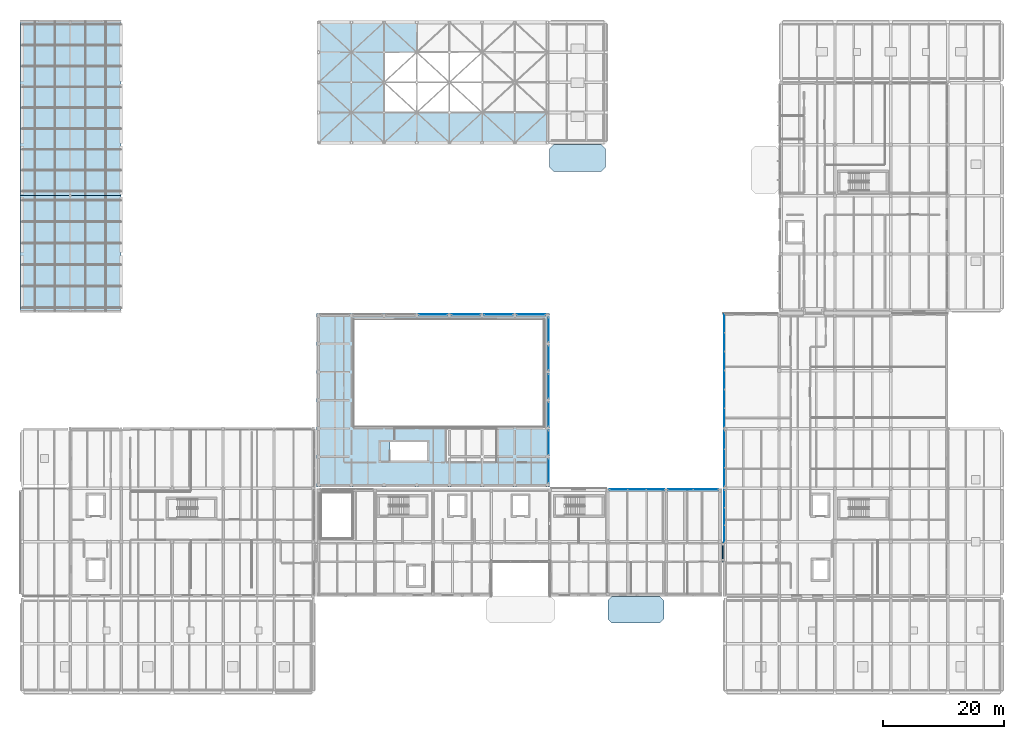
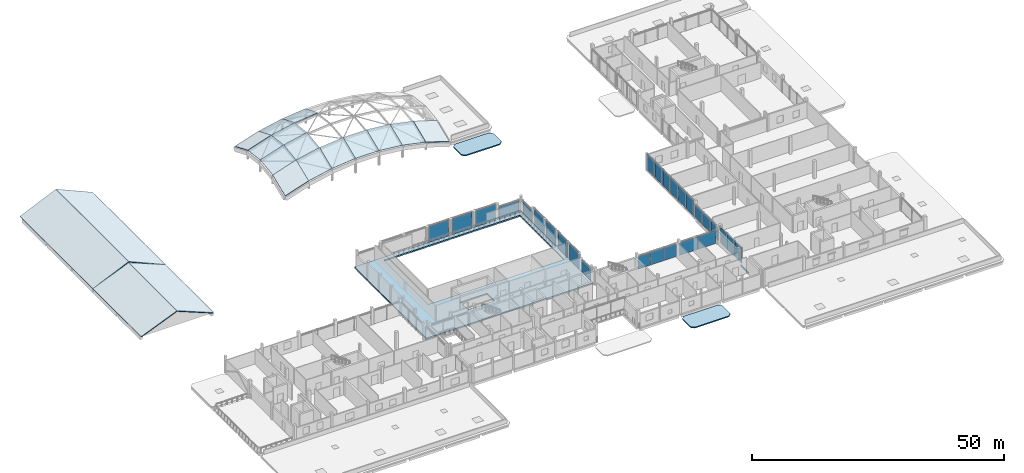
# One storey, part 33 of 66: 27 plates, 22 slabs, 18 elements without a shape of their own.
"""IFC4 building model written with IfcOpenShell, lengths in metres."""

import ifcopenshell
import ifcopenshell.guid

model = None  # the IFC model being written
_history = None  # IfcOwnerHistory: only IFC2X3 demands one
_inside = {}  # id of a spatial element -> (the spatial element, [elements in it])
_under = {}  # id of a project, library or spatial element -> (it, [spatial elements below it])
_declared = {}  # id of a project -> (the project, [libraries it declares])
_typed = {}  # id of a type object -> (the type object, [elements of that type])
_made_of = {}  # id of a material, layer set ... -> (it, [elements and type objects made of it])


def new_model(schema):
    """Start an empty IFC model of exactly this schema.

    Asked for "IFC4X3", IfcOpenShell would pick the latest addendum, in which some entities
    have other attributes; the version numbers below select the first issue.
    IFC2X3 requires an IfcOwnerHistory on every rooted entity: one is made here for all.
    """
    global model, _history
    if schema == "IFC4X3":
        model = ifcopenshell.file(schema_version=(4, 3, 0, 0))
    else:
        model = ifcopenshell.file(schema=schema)
    _inside.clear()
    _under.clear()
    _declared.clear()
    _typed.clear()
    _made_of.clear()
    _history = None
    if model.schema == "IFC2X3":
        org = make("IfcOrganization", Name="unknown")
        user = make(
            "IfcPersonAndOrganization",
            ThePerson=make("IfcPerson", FamilyName="unknown"),
            TheOrganization=org,
        )
        app = make(
            "IfcApplication",
            ApplicationDeveloper=org,
            Version="unknown",
            ApplicationFullName="unknown",
            ApplicationIdentifier="unknown",
        )
        _history = make(
            "IfcOwnerHistory",
            OwningUser=user,
            OwningApplication=app,
            ChangeAction="ADDED",
            CreationDate=0,
        )
    return model


def make(cls, **values):
    """One entity of the class cls with the attributes given. An attribute that is None is left unset."""
    return model.create_entity(
        cls, **{name: value for name, value in values.items() if value is not None}
    )


def rooted(cls, **values):
    """An entity with a GlobalId (a new one), such as an element, a storey or a relation."""
    return make(cls, GlobalId=ifcopenshell.guid.new(), OwnerHistory=_history, **values)


def si_unit(unit_type, name, prefix=None):
    """IfcSIUnit, for example si_unit("LENGTHUNIT", "METRE", prefix="MILLI")."""
    return make("IfcSIUnit", UnitType=unit_type, Prefix=prefix, Name=name)


def assignment(units):
    """IfcUnitAssignment: the units of a project."""
    return None if units is None else make("IfcUnitAssignment", Units=units)


def point(xyz):
    """IfcCartesianPoint."""
    return None if xyz is None else make("IfcCartesianPoint", Coordinates=xyz)


def direction(xyz):
    """IfcDirection."""
    return None if xyz is None else make("IfcDirection", DirectionRatios=xyz)


def frame(location, z_axis=None, x_axis=None):
    """IfcAxis2Placement3D, a coordinate frame: its origin and axes. An axis left out is left unset."""
    return make(
        "IfcAxis2Placement3D",
        Location=point(location),
        Axis=direction(z_axis),
        RefDirection=direction(x_axis),
    )


def frame_2d(location, x_axis=None):
    """IfcAxis2Placement2D, a coordinate frame in the plane: its origin and x axis."""
    return make(
        "IfcAxis2Placement2D", Location=point(location), RefDirection=direction(x_axis)
    )


def origin():
    """The frame at (0, 0, 0) with its axes left unset."""
    return frame((0.0, 0.0, 0.0))


def origin_2d():
    """The frame at (0, 0) in the plane with its x axis left unset."""
    return frame_2d((0.0, 0.0))


def place(relative_to, where):
    """IfcLocalPlacement: puts the frame where relative to a parent placement (None: the world)."""
    return make(
        "IfcLocalPlacement", PlacementRelTo=relative_to, RelativePlacement=where
    )


def context(
    kind, dimensions, precision=None, world=None, true_north=None, identifier=None
):
    """IfcGeometricRepresentationContext, for example the 3D "Model" context."""
    return make(
        "IfcGeometricRepresentationContext",
        ContextIdentifier=identifier,
        ContextType=kind,
        CoordinateSpaceDimension=dimensions,
        Precision=precision,
        WorldCoordinateSystem=world,
        TrueNorth=true_north,
    )


def subcontext(parent, identifier, kind, view, scale=None):
    """IfcGeometricRepresentationSubContext, for example "Body" below "Model"."""
    return make(
        "IfcGeometricRepresentationSubContext",
        ContextIdentifier=identifier,
        ContextType=kind,
        ParentContext=parent,
        TargetScale=scale,
        TargetView=view,
    )


def project(units=None, contexts=None):
    """IfcProject with its units and contexts."""
    return rooted(
        "IfcProject",
        Name="project",
        RepresentationContexts=contexts,
        UnitsInContext=assignment(units),
    )


def spatial(cls, under=None, at=None, **own):
    """A site, building, storey or space (cls), placed at a placement, below another one or the project."""
    s = rooted(cls, ObjectPlacement=at, **own)
    if under is not None:
        _under.setdefault(under.id(), (under, []))[1].append(s)
    return s


def polyline(points):
    """IfcPolyline through the points."""
    return make("IfcPolyline", Points=[point(p) for p in points])


def profile(cls, at=None, kind="AREA", **sizes):
    """A parametric profile (cls). Its sizes go by their IFC names, for example OverallWidth=200.0."""
    return make(cls, ProfileType=kind, Position=at, **sizes)


def rectangle(**sizes):
    """IfcRectangleProfileDef."""
    return profile("IfcRectangleProfileDef", **sizes)


def outline(outer, holes=None, kind="AREA"):
    """IfcArbitraryClosedProfileDef: a profile drawn as a closed curve; with holes, ...WithVoids."""
    if holes is None:
        return make("IfcArbitraryClosedProfileDef", ProfileType=kind, OuterCurve=outer)
    return make(
        "IfcArbitraryProfileDefWithVoids",
        ProfileType=kind,
        OuterCurve=outer,
        InnerCurves=holes,
    )


def extrude(swept, where, along, depth):
    """IfcExtrudedAreaSolid: the profile swept, set in the frame where, extruded along a direction by depth."""
    return make(
        "IfcExtrudedAreaSolid",
        SweptArea=swept,
        Position=where,
        ExtrudedDirection=direction(along),
        Depth=depth,
    )


def shape(context_of_items, identifier, shape_type, items):
    """IfcShapeRepresentation: the items that make up one representation, for example the "Body"."""
    return make(
        "IfcShapeRepresentation",
        ContextOfItems=context_of_items,
        RepresentationIdentifier=identifier,
        RepresentationType=shape_type,
        Items=items,
    )


def material(Name=None, Category=None):
    """IfcMaterial."""
    return make("IfcMaterial", Name=Name, Category=Category)


def layer(
    of_material, thickness, ventilated=None, Name=None, Category=None, Priority=None
):
    """IfcMaterialLayer: one layer of a wall or slab, of a material (None: an air gap)."""
    return make(
        "IfcMaterialLayer",
        Material=of_material,
        LayerThickness=thickness,
        IsVentilated=ventilated,
        Name=Name,
        Category=Category,
        Priority=Priority,
    )


def layer_set(layers, Name=None):
    """IfcMaterialLayerSet."""
    return make("IfcMaterialLayerSet", MaterialLayers=layers, LayerSetName=Name)


def made_of(thing, what):
    """Note that an element or type object is made of a material, layer set ...; save() writes the relation."""
    if what is not None:
        _made_of.setdefault(what.id(), (what, []))[1].append(thing)
    return thing


def type_object(cls, material=None, **own):
    """A type object (cls), such as IfcWallType, which elements share."""
    return made_of(rooted(cls, **own), material)


def element(
    cls,
    number,
    at=None,
    inside=None,
    cuts=None,
    type_object=None,
    material=None,
    context=None,
    identifier="Body",
    shape_type=None,
    held_by="IfcProductDefinitionShape",
    body=None,
    shapes=None,
    **own,
):
    """One element of the class cls, such as IfcWall. Its Tag is "e" and its number.

    at: its placement. inside: the storey or other place that contains it. cuts: it is an
    opening in that element (IfcRelVoidsElement). A single representation is given by context,
    identifier, shape_type and body (its items); several are given by shapes. held_by: the class
    of the entity that holds the representations. save() writes the other relations.
    """
    e = rooted(cls, Tag="e%d" % number, ObjectPlacement=at, **own)
    if body is not None:
        shapes = [shape(context, identifier, shape_type, body)]
    if shapes is not None:
        e.Representation = make(held_by, Representations=shapes)
    if inside is not None:
        _inside.setdefault(inside.id(), (inside, []))[1].append(e)
    if cuts is not None:
        rooted(
            "IfcRelVoidsElement", RelatingBuildingElement=cuts, RelatedOpeningElement=e
        )
    if type_object is not None:
        _typed.setdefault(type_object.id(), (type_object, []))[1].append(e)
    return made_of(e, material)


def aggregate(whole, parts):
    """IfcRelAggregates: a whole, such as a stair, and the parts it consists of."""
    return rooted("IfcRelAggregates", RelatingObject=whole, RelatedObjects=parts)


def save(model, path):
    """Write the relations noted so far, then the file.

    IfcRelAggregates (storeys below a building ...), IfcRelContainedInSpatialStructure (elements
    in a storey), IfcRelDefinesByType, IfcRelAssociatesMaterial and IfcRelDeclares: one each for
    every whole, place, type object, material and project.
    """
    for whole, parts in _under.values():
        aggregate(whole, parts)
    for where, things in _inside.values():
        rooted(
            "IfcRelContainedInSpatialStructure",
            RelatedElements=things,
            RelatingStructure=where,
        )
    for kind, things in _typed.values():
        rooted("IfcRelDefinesByType", RelatedObjects=things, RelatingType=kind)
    for what, things in _made_of.values():
        rooted("IfcRelAssociatesMaterial", RelatedObjects=things, RelatingMaterial=what)
    for by, libraries in _declared.values():
        rooted("IfcRelDeclares", RelatingContext=by, RelatedDefinitions=libraries)
    model.write(path)


model = new_model("IFC4")

# Units and contexts
model_context = context("Model", 3, precision=1e-05, world=origin(), true_north=direction((0.0, 1.0)))
body_context = subcontext(model_context, "Body", "Model", "MODEL_VIEW")
ifc_project = project(units=[si_unit("LENGTHUNIT", "METRE"), si_unit("AREAUNIT", "SQUARE_METRE"), si_unit("VOLUMEUNIT", "CUBIC_METRE"), si_unit("PLANEANGLEUNIT", "RADIAN"), si_unit("MASSUNIT", "GRAM", prefix="KILO")], contexts=[model_context])

# Site, building, storey
site_placement = place(None, origin())
site = spatial("IfcSite", under=ifc_project, at=site_placement, CompositionType="ELEMENT")
building_placement = place(site_placement, origin())
building = spatial("IfcBuilding", under=site, at=building_placement, Name="Birchvale Park Specialist Clinic", CompositionType="ELEMENT")
storey_placement = place(building_placement, frame((0.0, 0.0, 5.39990234375)))
storey = spatial("IfcBuildingStorey", under=building, at=storey_placement, Name="L01", CompositionType="ELEMENT", Elevation=5.39990234375)

# Curtain wall, plates
ifc_material_1 = material(Name="Thermally broken anodised aluminium", Category="aluminium")
ifc_layer_1 = layer(ifc_material_1, 0.179931640625)
ifc_layer_set_1 = layer_set([ifc_layer_1], Name="Thermally broken anodised aluminium")
curtain_wall_type_1 = type_object("IfcCurtainWallType", Name="CW-U1", PredefinedType="USERDEFINED", material=ifc_layer_set_1)
curtain_wall_1_placement = place(storey_placement, origin())
curtain_wall_1 = element("IfcCurtainWall", 1, at=curtain_wall_1_placement, inside=storey, type_object=curtain_wall_type_1, Name="V4 L01 glazed curtain wall 88", ObjectType="UNITISED", PredefinedType="USERDEFINED")
ifc_material_2 = material(Name="Solar-control low-E double glazing", Category="glass")
ifc_layer_2 = layer(ifc_material_2, 0.028076171875)
ifc_layer_set_2 = layer_set([ifc_layer_2], Name="Solar-control low-E double glazing")
plate_type_1 = type_object("IfcPlateType", Name="CWP1", PredefinedType="CURTAIN_PANEL", material=ifc_layer_set_2)
plate_1_placement = place(storey_placement, frame((115.925048828125, 34.409912109375, 0.06005859375), z_axis=(0.0, 0.0, 1.0), x_axis=(-1.0, 0.0, 0.0)))
plate_1 = element("IfcPlate", 2, at=plate_1_placement, type_object=plate_type_1, Name="CW panel 1.1", PredefinedType="CURTAIN_PANEL", context=body_context, shape_type="SweptSolid", body=[
    extrude(rectangle(XDim=4.110107421875, YDim=0.028076171875, at=origin_2d()), origin(), (0.0, 0.0, 1.0), 3.094970703125),
])
plate_2_placement = place(storey_placement, frame((111.7548828125, 34.409912109375, 0.06005859375), z_axis=(0.0, 0.0, 1.0), x_axis=(-1.0, 0.0, 0.0)))
plate_2 = element("IfcPlate", 3, at=plate_2_placement, type_object=plate_type_1, Name="CW panel 2.1", PredefinedType="CURTAIN_PANEL", context=body_context, shape_type="SweptSolid", body=[
    extrude(rectangle(XDim=4.110107421875, YDim=0.028076171875, at=origin_2d()), origin(), (0.0, 0.0, 1.0), 3.094970703125),
])
aggregate(curtain_wall_1, [plate_1, plate_2])

curtain_wall_2_placement = place(storey_placement, origin())
curtain_wall_2 = element("IfcCurtainWall", 4, at=curtain_wall_2_placement, inside=storey, type_object=curtain_wall_type_1, Name="V4 L01 glazed curtain wall 89", ObjectType="UNITISED", PredefinedType="USERDEFINED")
plate_3_placement = place(storey_placement, frame((107.629150390625, 34.409912109375, 0.06005859375), z_axis=(0.0, 0.0, 1.0), x_axis=(-1.0, 0.0, 0.0)))
plate_3 = element("IfcPlate", 5, at=plate_3_placement, type_object=plate_type_1, Name="CW panel 1.1", PredefinedType="CURTAIN_PANEL", context=body_context, shape_type="SweptSolid", body=[
    extrude(rectangle(XDim=2.941650390625, YDim=0.028076171875, at=origin_2d()), origin(), (0.0, 0.0, 1.0), 3.06494140625),
])
plate_4_placement = place(storey_placement, frame((104.612548828125, 34.409912109375, 0.06005859375), z_axis=(0.0, 0.0, 1.0), x_axis=(-1.0, 0.0, 0.0)))
plate_4 = element("IfcPlate", 6, at=plate_4_placement, type_object=plate_type_1, Name="CW panel 2.1", PredefinedType="CURTAIN_PANEL", context=body_context, shape_type="SweptSolid", body=[
    extrude(rectangle(XDim=2.9716796875, YDim=0.028076171875, at=origin_2d()), origin(), (0.0, 0.0, 1.0), 3.06494140625),
])
plate_5_placement = place(storey_placement, frame((101.595947265625, 34.409912109375, 0.06005859375), z_axis=(0.0, 0.0, 1.0), x_axis=(-1.0, 0.0, 0.0)))
plate_5 = element("IfcPlate", 7, at=plate_5_placement, type_object=plate_type_1, Name="CW panel 3.1", PredefinedType="CURTAIN_PANEL", context=body_context, shape_type="SweptSolid", body=[
    extrude(rectangle(XDim=2.941650390625, YDim=0.028076171875, at=origin_2d()), origin(), (0.0, 0.0, 1.0), 3.06494140625),
])
aggregate(curtain_wall_2, [plate_3, plate_4, plate_5])

# Curtain wall, plate
ifc_layer_3 = layer(ifc_material_1, 0.195068359375)
ifc_layer_set_3 = layer_set([ifc_layer_3], Name="Thermally broken anodised aluminium")
curtain_wall_type_2 = type_object("IfcCurtainWallType", Name="CW-U2", PredefinedType="USERDEFINED", material=ifc_layer_set_3)
curtain_wall_3_placement = place(storey_placement, origin())
curtain_wall_3 = element("IfcCurtainWall", 8, at=curtain_wall_3_placement, inside=storey, type_object=curtain_wall_type_2, Name="V1 L01 glazed curtain wall 68", ObjectType="UNITISED", PredefinedType="USERDEFINED")
ifc_layer_4 = layer(ifc_material_2, 0.031982421875)
ifc_layer_set_4 = layer_set([ifc_layer_4], Name="Solar-control low-E double glazing")
plate_type_2 = type_object("IfcPlateType", Name="CWP2", PredefinedType="CURTAIN_PANEL", material=ifc_layer_set_4)
plate_6_placement = place(storey_placement, frame((90.034912109375, 37.47509765625, 0.065185546875), z_axis=(0.0, 0.0, 1.0), x_axis=(0.0, 1.0, 0.0)))
plate_6 = element("IfcPlate", 9, at=plate_6_placement, type_object=plate_type_2, Name="CW panel 1.1", PredefinedType="CURTAIN_PANEL", context=body_context, shape_type="SweptSolid", body=[
    extrude(rectangle(XDim=3.89990234375, YDim=0.031982421875, at=origin_2d()), origin(), (0.0, 0.0, 1.0), 2.93505859375),
])
aggregate(curtain_wall_3, [plate_6])

curtain_wall_4_placement = place(storey_placement, origin())
curtain_wall_4 = element("IfcCurtainWall", 10, at=curtain_wall_4_placement, inside=storey, type_object=curtain_wall_type_2, Name="V1 L01 glazed curtain wall 69", ObjectType="UNITISED", PredefinedType="USERDEFINED")
plate_7_placement = place(storey_placement, frame((90.034912109375, 42.125, 0.06494140625), z_axis=(0.0, 0.0, 1.0), x_axis=(0.0, 1.0, 0.0)))
plate_7 = element("IfcPlate", 11, at=plate_7_placement, type_object=plate_type_2, Name="CW panel 1.1", PredefinedType="CURTAIN_PANEL", context=body_context, shape_type="SweptSolid", body=[
    extrude(rectangle(XDim=3.89990234375, YDim=0.031982421875, at=origin_2d()), origin(), (0.0, 0.0, 1.0), 3.889892578125),
])
aggregate(curtain_wall_4, [plate_7])

curtain_wall_5_placement = place(storey_placement, origin())
curtain_wall_5 = element("IfcCurtainWall", 12, at=curtain_wall_5_placement, inside=storey, type_object=curtain_wall_type_2, Name="V1 L01 glazed curtain wall 70", ObjectType="UNITISED", PredefinedType="USERDEFINED")
plate_8_placement = place(storey_placement, frame((90.034912109375, 46.77490234375, 0.06494140625), z_axis=(0.0, 0.0, 1.0), x_axis=(0.0, 1.0, 0.0)))
plate_8 = element("IfcPlate", 13, at=plate_8_placement, type_object=plate_type_2, Name="CW panel 1.1", PredefinedType="CURTAIN_PANEL", context=body_context, shape_type="SweptSolid", body=[
    extrude(rectangle(XDim=3.89990234375, YDim=0.031982421875, at=origin_2d()), origin(), (0.0, 0.0, 1.0), 3.889892578125),
])
aggregate(curtain_wall_5, [plate_8])

curtain_wall_6_placement = place(storey_placement, origin())
curtain_wall_6 = element("IfcCurtainWall", 14, at=curtain_wall_6_placement, inside=storey, type_object=curtain_wall_type_2, Name="V1 L01 glazed curtain wall 71", ObjectType="UNITISED", PredefinedType="USERDEFINED")
plate_9_placement = place(storey_placement, frame((90.034912109375, 51.425048828125, 0.06494140625), z_axis=(0.0, 0.0, 1.0), x_axis=(0.0, 1.0, 0.0)))
plate_9 = element("IfcPlate", 15, at=plate_9_placement, type_object=plate_type_2, Name="CW panel 1.1", PredefinedType="CURTAIN_PANEL", context=body_context, shape_type="SweptSolid", body=[
    extrude(rectangle(XDim=3.89990234375, YDim=0.031982421875, at=origin_2d()), origin(), (0.0, 0.0, 1.0), 3.889892578125),
])
aggregate(curtain_wall_6, [plate_9])

curtain_wall_7_placement = place(storey_placement, origin())
curtain_wall_7 = element("IfcCurtainWall", 16, at=curtain_wall_7_placement, inside=storey, type_object=curtain_wall_type_2, Name="V1 L01 glazed curtain wall 72", ObjectType="UNITISED", PredefinedType="USERDEFINED")
plate_10_placement = place(storey_placement, frame((90.034912109375, 56.074951171875, 0.06494140625), z_axis=(0.0, 0.0, 1.0), x_axis=(0.0, 1.0, 0.0)))
plate_10 = element("IfcPlate", 17, at=plate_10_placement, type_object=plate_type_2, Name="CW panel 1.1", PredefinedType="CURTAIN_PANEL", context=body_context, shape_type="SweptSolid", body=[
    extrude(rectangle(XDim=3.89990234375, YDim=0.031982421875, at=origin_2d()), origin(), (0.0, 0.0, 1.0), 3.889892578125),
])
aggregate(curtain_wall_7, [plate_10])

curtain_wall_8_placement = place(storey_placement, origin())
curtain_wall_8 = element("IfcCurtainWall", 18, at=curtain_wall_8_placement, inside=storey, type_object=curtain_wall_type_2, Name="V1 L01 glazed curtain wall 73", ObjectType="UNITISED", PredefinedType="USERDEFINED")
plate_11_placement = place(storey_placement, frame((90.034912109375, 60.72509765625, 0.065185546875), z_axis=(0.0, 0.0, 1.0), x_axis=(0.0, 1.0, 0.0)))
plate_11 = element("IfcPlate", 19, at=plate_11_placement, type_object=plate_type_2, Name="CW panel 1.1", PredefinedType="CURTAIN_PANEL", context=body_context, shape_type="SweptSolid", body=[
    extrude(rectangle(XDim=3.89990234375, YDim=0.031982421875, at=origin_2d()), origin(), (0.0, 0.0, 1.0), 2.93505859375),
])
aggregate(curtain_wall_8, [plate_11])

curtain_wall_9_placement = place(storey_placement, origin())
curtain_wall_9 = element("IfcCurtainWall", 20, at=curtain_wall_9_placement, inside=storey, type_object=curtain_wall_type_2, Name="V1 L01 glazed curtain wall 74", ObjectType="UNITISED", PredefinedType="USERDEFINED")
plate_12_placement = place(storey_placement, frame((87.1572265625, 63.235107421875, 0.065185546875), z_axis=(0.0, 0.0, 1.0), x_axis=(-1.0, 0.0, 0.0)))
plate_12 = element("IfcPlate", 21, at=plate_12_placement, type_object=plate_type_2, Name="CW panel 1.1", PredefinedType="CURTAIN_PANEL", context=body_context, shape_type="SweptSolid", body=[
    extrude(rectangle(XDim=4.6357421875, YDim=0.031982421875, at=origin_2d()), origin(), (0.0, 0.0, 1.0), 2.93505859375),
])
aggregate(curtain_wall_9, [plate_12])

curtain_wall_10_placement = place(storey_placement, origin())
curtain_wall_10 = element("IfcCurtainWall", 22, at=curtain_wall_10_placement, inside=storey, type_object=curtain_wall_type_2, Name="V1 L01 glazed curtain wall 75", ObjectType="UNITISED", PredefinedType="USERDEFINED")
plate_13_placement = place(storey_placement, frame((81.771484375, 63.235107421875, 0.06494140625), z_axis=(0.0, 0.0, 1.0), x_axis=(-1.0, 0.0, 0.0)))
plate_13 = element("IfcPlate", 23, at=plate_13_placement, type_object=plate_type_2, Name="CW panel 1.1", PredefinedType="CURTAIN_PANEL", context=body_context, shape_type="SweptSolid", body=[
    extrude(rectangle(XDim=4.6357421875, YDim=0.031982421875, at=origin_2d()), origin(), (0.0, 0.0, 1.0), 3.889892578125),
])
aggregate(curtain_wall_10, [plate_13])

curtain_wall_11_placement = place(storey_placement, origin())
curtain_wall_11 = element("IfcCurtainWall", 24, at=curtain_wall_11_placement, inside=storey, type_object=curtain_wall_type_2, Name="V1 L01 glazed curtain wall 76", ObjectType="UNITISED", PredefinedType="USERDEFINED")
plate_14_placement = place(storey_placement, frame((76.3857421875, 63.235107421875, 0.06494140625), z_axis=(0.0, 0.0, 1.0), x_axis=(-1.0, 0.0, 0.0)))
plate_14 = element("IfcPlate", 25, at=plate_14_placement, type_object=plate_type_2, Name="CW panel 1.1", PredefinedType="CURTAIN_PANEL", context=body_context, shape_type="SweptSolid", body=[
    extrude(rectangle(XDim=4.6357421875, YDim=0.031982421875, at=origin_2d()), origin(), (0.0, 0.0, 1.0), 3.889892578125),
])
aggregate(curtain_wall_11, [plate_14])

curtain_wall_12_placement = place(storey_placement, origin())
curtain_wall_12 = element("IfcCurtainWall", 26, at=curtain_wall_12_placement, inside=storey, type_object=curtain_wall_type_2, Name="V1 L01 glazed curtain wall 77", ObjectType="UNITISED", PredefinedType="USERDEFINED")
plate_15_placement = place(storey_placement, frame((71.0, 63.235107421875, 0.06494140625), z_axis=(0.0, 0.0, 1.0), x_axis=(-1.0, 0.0, 0.0)))
plate_15 = element("IfcPlate", 27, at=plate_15_placement, type_object=plate_type_2, Name="CW panel 1.1", PredefinedType="CURTAIN_PANEL", context=body_context, shape_type="SweptSolid", body=[
    extrude(rectangle(XDim=4.6357421875, YDim=0.031982421875, at=origin_2d()), origin(), (0.0, 0.0, 1.0), 3.889892578125),
])
aggregate(curtain_wall_12, [plate_15])

# Curtain wall, plates
curtain_wall_13_placement = place(storey_placement, origin())
curtain_wall_13 = element("IfcCurtainWall", 28, at=curtain_wall_13_placement, inside=storey, type_object=curtain_wall_type_2, Name="V5 L01 glazed curtain wall 92", ObjectType="UNITISED", PredefinedType="USERDEFINED")
plate_16_placement = place(storey_placement, frame((118.97509765625, 61.802001953125, 0.065185546875), z_axis=(0.0, 0.0, 1.0), x_axis=(0.0, -1.0, 0.0)))
plate_16 = element("IfcPlate", 29, at=plate_16_placement, type_object=plate_type_2, Name="CW panel 1.1", PredefinedType="CURTAIN_PANEL", context=body_context, shape_type="SweptSolid", body=[
    extrude(rectangle(XDim=3.02587890625, YDim=0.031982421875, at=origin_2d()), origin(), (0.0, 0.0, 1.0), 3.77001953125),
])
plate_17_placement = place(storey_placement, frame((118.97509765625, 58.695068359375, 0.065185546875), z_axis=(0.0, 0.0, 1.0), x_axis=(0.0, -1.0, 0.0)))
plate_17 = element("IfcPlate", 30, at=plate_17_placement, type_object=plate_type_2, Name="CW panel 2.1", PredefinedType="CURTAIN_PANEL", context=body_context, shape_type="SweptSolid", body=[
    extrude(rectangle(XDim=3.058349609375, YDim=0.031982421875, at=origin_2d()), origin(), (0.0, 0.0, 1.0), 3.77001953125),
])
plate_18_placement = place(storey_placement, frame((118.97509765625, 55.57177734375, 0.065185546875), z_axis=(0.0, 0.0, 1.0), x_axis=(0.0, -1.0, 0.0)))
plate_18 = element("IfcPlate", 31, at=plate_18_placement, type_object=plate_type_2, Name="CW panel 3.1", PredefinedType="CURTAIN_PANEL", context=body_context, shape_type="SweptSolid", body=[
    extrude(rectangle(XDim=3.058349609375, YDim=0.031982421875, at=origin_2d()), origin(), (0.0, 0.0, 1.0), 3.77001953125),
])
plate_19_placement = place(storey_placement, frame((118.97509765625, 52.4482421875, 0.065185546875), z_axis=(0.0, 0.0, 1.0), x_axis=(0.0, -1.0, 0.0)))
plate_19 = element("IfcPlate", 32, at=plate_19_placement, type_object=plate_type_2, Name="CW panel 4.1", PredefinedType="CURTAIN_PANEL", context=body_context, shape_type="SweptSolid", body=[
    extrude(rectangle(XDim=3.058349609375, YDim=0.031982421875, at=origin_2d()), origin(), (0.0, 0.0, 1.0), 3.77001953125),
])
plate_20_placement = place(storey_placement, frame((118.97509765625, 49.324951171875, 0.065185546875), z_axis=(0.0, 0.0, 1.0), x_axis=(0.0, -1.0, 0.0)))
plate_20 = element("IfcPlate", 33, at=plate_20_placement, type_object=plate_type_2, Name="CW panel 5.1", PredefinedType="CURTAIN_PANEL", context=body_context, shape_type="SweptSolid", body=[
    extrude(rectangle(XDim=3.058349609375, YDim=0.031982421875, at=origin_2d()), origin(), (0.0, 0.0, 1.0), 3.77001953125),
])
plate_21_placement = place(storey_placement, frame((118.97509765625, 46.218017578125, 0.065185546875), z_axis=(0.0, 0.0, 1.0), x_axis=(0.0, -1.0, 0.0)))
plate_21 = element("IfcPlate", 34, at=plate_21_placement, type_object=plate_type_2, Name="CW panel 6.1", PredefinedType="CURTAIN_PANEL", context=body_context, shape_type="SweptSolid", body=[
    extrude(rectangle(XDim=3.02587890625, YDim=0.031982421875, at=origin_2d()), origin(), (0.0, 0.0, 1.0), 3.77001953125),
])
aggregate(curtain_wall_13, [plate_16, plate_17, plate_18, plate_19, plate_20, plate_21])

curtain_wall_14_placement = place(storey_placement, origin())
curtain_wall_14 = element("IfcCurtainWall", 35, at=curtain_wall_14_placement, inside=storey, type_object=curtain_wall_type_2, Name="V5 L01 glazed curtain wall 93", ObjectType="UNITISED", PredefinedType="USERDEFINED")
plate_22_placement = place(storey_placement, frame((118.97509765625, 42.5986328125, 0.065185546875), z_axis=(0.0, 0.0, 1.0), x_axis=(0.0, -1.0, 0.0)))
plate_22 = element("IfcPlate", 36, at=plate_22_placement, type_object=plate_type_2, Name="CW panel 1.1", PredefinedType="CURTAIN_PANEL", context=body_context, shape_type="SweptSolid", body=[
    extrude(rectangle(XDim=2.992431640625, YDim=0.031982421875, at=origin_2d()), origin(), (0.0, 0.0, 1.0), 3.10498046875),
])
plate_23_placement = place(storey_placement, frame((118.97509765625, 39.52490234375, 0.065185546875), z_axis=(0.0, 0.0, 1.0), x_axis=(0.0, -1.0, 0.0)))
plate_23 = element("IfcPlate", 37, at=plate_23_placement, type_object=plate_type_2, Name="CW panel 2.1", PredefinedType="CURTAIN_PANEL", context=body_context, shape_type="SweptSolid", body=[
    extrude(rectangle(XDim=3.02490234375, YDim=0.031982421875, at=origin_2d()), origin(), (0.0, 0.0, 1.0), 3.10498046875),
])
plate_24_placement = place(storey_placement, frame((118.97509765625, 36.451171875, 0.065185546875), z_axis=(0.0, 0.0, 1.0), x_axis=(0.0, -1.0, 0.0)))
plate_24 = element("IfcPlate", 38, at=plate_24_placement, type_object=plate_type_2, Name="CW panel 3.1", PredefinedType="CURTAIN_PANEL", context=body_context, shape_type="SweptSolid", body=[
    extrude(rectangle(XDim=2.992431640625, YDim=0.031982421875, at=origin_2d()), origin(), (0.0, 0.0, 1.0), 3.10498046875),
])
aggregate(curtain_wall_14, [plate_22, plate_23, plate_24])

curtain_wall_15_placement = place(storey_placement, origin())
curtain_wall_15 = element("IfcCurtainWall", 39, at=curtain_wall_15_placement, inside=storey, type_object=curtain_wall_type_2, Name="V5 L01 glazed curtain wall 94", ObjectType="UNITISED", PredefinedType="USERDEFINED")
plate_25_placement = place(storey_placement, frame((118.97509765625, 32.850341796875, 0.065185546875), z_axis=(0.0, 0.0, 1.0), x_axis=(0.0, -1.0, 0.0)))
plate_25 = element("IfcPlate", 40, at=plate_25_placement, type_object=plate_type_2, Name="CW panel 1.1", PredefinedType="CURTAIN_PANEL", context=body_context, shape_type="SweptSolid", body=[
    extrude(rectangle(XDim=2.7890625, YDim=0.031982421875, at=origin_2d()), origin(), (0.0, 0.0, 1.0), 3.77001953125),
])
plate_26_placement = place(storey_placement, frame((118.97509765625, 29.97998046875, 0.065185546875), z_axis=(0.0, 0.0, 1.0), x_axis=(0.0, -1.0, 0.0)))
plate_26 = element("IfcPlate", 41, at=plate_26_placement, type_object=plate_type_2, Name="CW panel 2.1", PredefinedType="CURTAIN_PANEL", context=body_context, shape_type="SweptSolid", body=[
    extrude(rectangle(XDim=2.82177734375, YDim=0.031982421875, at=origin_2d()), origin(), (0.0, 0.0, 1.0), 3.77001953125),
])
plate_27_placement = place(storey_placement, frame((118.97509765625, 27.109619140625, 0.065185546875), z_axis=(0.0, 0.0, 1.0), x_axis=(0.0, -1.0, 0.0)))
plate_27 = element("IfcPlate", 42, at=plate_27_placement, type_object=plate_type_2, Name="CW panel 3.1", PredefinedType="CURTAIN_PANEL", context=body_context, shape_type="SweptSolid", body=[
    extrude(rectangle(XDim=2.7890625, YDim=0.031982421875, at=origin_2d()), origin(), (0.0, 0.0, 1.0), 3.77001953125),
])
aggregate(curtain_wall_15, [plate_25, plate_26, plate_27])

# Slabs
ifc_material_3 = material(Name="Concrete C35/45", Category="concrete")
ifc_layer_5 = layer(ifc_material_3, 0.320068359375)
ifc_layer_set_5 = layer_set([ifc_layer_5], Name="Concrete C35/45")
slab_type_1 = type_object("IfcSlabType", Name="SLB-FS2", PredefinedType="FLOOR", material=ifc_layer_set_5)
slab_1_placement = place(storey_placement, frame((0.0, 0.0, -0.31982421875)))
element("IfcSlab", 43, at=slab_1_placement, inside=storey, type_object=slab_type_1, Name="V1 L01 structural slab 1", PredefinedType="FLOOR", context=body_context, shape_type="SweptSolid", body=[
    extrude(outline(polyline([(51.800048828125, 34.800048828125), (90.199951171875, 34.800048828125), (90.199951171875, 63.39990234375), (51.800048828125, 63.39990234375), (51.800048828125, 34.800048828125)]), holes=[polyline([(58.0, 44.800048828125), (89.199951171875, 44.800048828125), (89.199951171875, 62.39990234375), (58.0, 62.39990234375), (58.0, 44.800048828125)]), polyline([(63.905029296875, 39.199951171875), (70.0, 39.199951171875), (70.0, 42.199951171875), (63.905029296875, 42.199951171875), (63.905029296875, 39.199951171875)])]), origin(), (0.0, 0.0, 1.0), 0.31982421875),
])
ifc_layer_6 = layer(ifc_material_3, 0.364990234375)
ifc_layer_set_6 = layer_set([ifc_layer_6], Name="Concrete C35/45")
slab_type_2 = type_object("IfcSlabType", Name="SLB-FS6", PredefinedType="FLOOR", material=ifc_layer_set_6)
slab_2_placement = place(storey_placement, frame((0.0, 0.0, -0.364990234375)))
element("IfcSlab", 44, at=slab_2_placement, inside=storey, type_object=slab_type_2, Name="L01 seismic link bridge deck BRG-2", PredefinedType="FLOOR", context=body_context, shape_type="SweptSolid", body=[
    extrude(outline(polyline([(118.60009765625, 22.60009765625), (118.800048828125, 22.60009765625), (118.800048828125, 25.60009765625), (118.60009765625, 25.60009765625), (118.60009765625, 22.60009765625)])), origin(), (0.0, 0.0, 1.0), 0.364990234375),
])

# Roof, slabs
ifc_material_4 = material(Name="Standing-seam titanium-zinc roofing")
roof_type_1 = type_object("IfcRoofType", Name="ROOF-GBL1", PredefinedType="GABLE_ROOF", material=ifc_material_4)
roof_1_placement = place(storey_placement, origin())
roof_1 = element("IfcRoof", 45, at=roof_1_placement, inside=storey, type_object=roof_type_1, Name="L01 house-shaped gable roof V2-L01-WP1", PredefinedType="GABLE_ROOF")
ifc_layer_7 = layer(ifc_material_3, 0.195068359375)
ifc_layer_set_7 = layer_set([ifc_layer_7], Name="Concrete C35/45")
slab_type_3 = type_object("IfcSlabType", Name="SLB-RS2", PredefinedType="ROOF", material=ifc_layer_set_7)
slab_3_placement = place(storey_placement, frame((2.949951171875, 63.60009765625, 0.0), z_axis=(-0.381040455148, 0.0, 0.924558365676), x_axis=(0.924558365676, 0.0, 0.381040455148)))
slab_3 = element("IfcSlab", 46, at=slab_3_placement, type_object=slab_type_3, Name="L01 gable roof deck V2-L01-WP1 W", PredefinedType="ROOF", context=body_context, shape_type="SweptSolid", body=[
    extrude(outline(polyline([(0.0, 0.0), (8.871423094534736, 0.0), (8.871423094534736, 19.199951171875), (0.0, 19.199951171875), (0.0, 0.0)])), origin(), (0.0, 0.0, -1.0), 0.195068359375),
])
slab_4_placement = place(storey_placement, frame((11.248046875, 63.60009765625, 3.380615234375), z_axis=(0.375194975018, 0.0, 0.926945915748), x_axis=(0.926945915748, 0.0, -0.375194975018)))
slab_4 = element("IfcSlab", 47, at=slab_4_placement, type_object=slab_type_3, Name="L01 gable roof deck V2-L01-WP1 E", PredefinedType="ROOF", context=body_context, shape_type="SweptSolid", body=[
    extrude(outline(polyline([(0.0, 0.0), (9.010289208203423, 0.0), (9.010289208203423, 19.199951171875), (0.0, 19.199951171875), (0.0, 0.0)])), origin(), (0.0, 0.0, -1.0), 0.195068359375),
])
aggregate(roof_1, [slab_3, slab_4])

roof_2_placement = place(storey_placement, origin())
roof_2 = element("IfcRoof", 48, at=roof_2_placement, inside=storey, type_object=roof_type_1, Name="L01 house-shaped gable roof V2-L01-WP2", PredefinedType="GABLE_ROOF")
slab_5_placement = place(storey_placement, frame((2.949951171875, 82.800048828125, 0.0), z_axis=(-0.409207963153, 0.0, 0.912441144892), x_axis=(0.912441144892, 0.0, 0.409207963153)))
slab_5 = element("IfcSlab", 49, at=slab_5_placement, type_object=slab_type_3, Name="L01 gable roof deck V2-L01-WP2 W", PredefinedType="ROOF", context=body_context, shape_type="SweptSolid", body=[
    extrude(outline(polyline([(0.0, 0.0), (8.989235616363358, 0.0), (8.989235616363358, 28.949951171874996), (0.0, 28.949951171874996), (0.0, 0.0)])), origin(), (0.0, 0.0, -1.0), 0.195068359375),
])
slab_6_placement = place(storey_placement, frame((11.248046875, 82.800048828125, 3.678955078125), z_axis=(0.403110620526, 0.0, 0.91515125942), x_axis=(0.91515125942, 0.0, -0.403110620526)))
slab_6 = element("IfcSlab", 50, at=slab_6_placement, type_object=slab_type_3, Name="L01 gable roof deck V2-L01-WP2 E", PredefinedType="ROOF", context=body_context, shape_type="SweptSolid", body=[
    extrude(outline(polyline([(0.0, 0.0), (9.12641565563614, 0.0), (9.12641565563614, 28.949951171874996), (0.0, 28.949951171874996), (0.0, 0.0)])), origin(), (0.0, 0.0, -1.0), 0.195068359375),
])
aggregate(roof_2, [slab_5, slab_6])

ifc_material_5 = material(Name="Glulam GL28h", Category="wood")
roof_type_2 = type_object("IfcRoofType", Name="ROOF-SHL1", PredefinedType="BARREL_ROOF", material=ifc_material_5)
roof_3_placement = place(storey_placement, origin())
roof_3 = element("IfcRoof", 51, at=roof_3_placement, inside=storey, type_object=roof_type_2, Name="V3 translational glulam-and-steel gridshell roof (L01)", PredefinedType="BARREL_ROOF")
ifc_layer_8 = layer(ifc_material_3, 0.179931640625)
ifc_layer_set_8 = layer_set([ifc_layer_8], Name="Concrete C35/45")
slab_type_4 = type_object("IfcSlabType", Name="SLB-RS3", PredefinedType="ROOF", material=ifc_layer_set_8)
slab_7_placement = place(storey_placement, frame((52.14990234375, 91.550048828125, 0.0), z_axis=(-0.289260564964, -0.368740970042, 0.883378980149), x_axis=(0.950347047767, 7.016373e-06, 0.311192044808)))
slab_7 = element("IfcSlab", 52, at=slab_7_placement, type_object=slab_type_4, Name="V3 gridshell planar roof cassette 1", PredefinedType="ROOF", context=body_context, shape_type="SweptSolid", body=[
    extrude(outline(polyline([(0.0, 0.0), (5.667164845075098, 0.0), (6.311768341888716, 5.338554272643018), (0.6446794714339326, 5.338639826808719), (0.0, 0.0)])), origin(), (0.0, 0.0, -1.0), 0.179931640625),
])
slab_8_placement = place(storey_placement, frame((52.14990234375, 96.512451171875, 2.071533203125), z_axis=(-0.308865891906, -0.121972654901, 0.943252104304), x_axis=(0.950348008716, -2.478222e-06, 0.311189110226)))
slab_8 = element("IfcSlab", 53, at=slab_8_placement, type_object=slab_type_4, Name="V3 gridshell planar roof cassette 2", PredefinedType="ROOF", context=body_context, shape_type="SweptSolid", body=[
    extrude(outline(polyline([(0.0, 0.0), (5.667088870956789, 2.7755575615628914e-17), (5.8668119656727695, 4.9999936707638675), (0.19964712081211566, 4.999965370657631), (0.0, 0.0)])), origin(), (0.0, 0.0, -1.0), 0.179931640625),
])
slab_9_placement = place(storey_placement, frame((52.14990234375, 101.47509765625, 2.713134765625), z_axis=(-0.30886566583, 0.121978566437, 0.943251413888), x_axis=(0.950347819163, -2.478308e-06, 0.311189689106)))
slab_9 = element("IfcSlab", 54, at=slab_9_placement, type_object=slab_type_4, Name="V3 gridshell planar roof cassette 3", PredefinedType="ROOF", context=body_context, shape_type="SweptSolid", body=[
    extrude(outline(polyline([(0.0, 0.0), (5.667164844931317, -2.7755575615628914e-17), (5.467416781762533, 4.9997503563556), (-0.19967208912359213, 4.999722055257178), (0.0, 0.0)])), origin(), (0.0, 0.0, -1.0), 0.179931640625),
])
slab_10_placement = place(storey_placement, frame((52.14990234375, 106.4375, 2.071533203125), z_axis=(-0.289260564964, 0.368740970042, 0.883378980149), x_axis=(0.950348780084, 7.016467e-06, 0.311186754449)))
slab_10 = element("IfcSlab", 55, at=slab_10_placement, type_object=slab_type_4, Name="V3 gridshell planar roof cassette 4", PredefinedType="ROOF", context=body_context, shape_type="SweptSolid", body=[
    extrude(outline(polyline([(0.0, 0.0), (5.6670888711005745, 0.0), (5.022565968747977, 5.3385640034003865), (-0.6445988756813201, 5.3386495587130405), (0.0, 0.0)])), origin(), (0.0, 0.0, -1.0), 0.179931640625),
])
slab_11_placement = place(storey_placement, frame((57.53564453125, 91.550048828125, 1.763671875), z_axis=(-0.192030818496, -0.378039323836, 0.905654699309), x_axis=(0.978251813035, -7.591306e-06, 0.207420804732)))
slab_11 = element("IfcSlab", 56, at=slab_11_placement, type_object=slab_type_4, Name="V3 gridshell planar roof cassette 5", PredefinedType="ROOF", context=body_context, shape_type="SweptSolid", body=[
    extrude(outline(polyline([(0.0, 0.0), (5.505454614084129, -1.1102230246251565e-16), (5.93509602699125, 5.360232744666774), (0.4295907730622164, 5.360142456797706), (0.0, 0.0)])), origin(), (0.0, 0.0, -1.0), 0.179931640625),
])
slab_12_placement = place(storey_placement, frame((57.53564453125, 96.512451171875, 3.8349609375), z_axis=(-0.205783910179, -0.125498293751, 0.970516955327), x_axis=(0.978251099222, 2.70056e-06, 0.207424171361)))
slab_12 = element("IfcSlab", 57, at=slab_12_placement, type_object=slab_type_4, Name="V3 gridshell planar roof cassette 6", PredefinedType="ROOF", context=body_context, shape_type="SweptSolid", body=[
    extrude(outline(polyline([(0.0, 0.0), (5.505505254504689, 0.0), (5.638602328874253, 5.002179309924905), (0.13314771503639933, 5.002209282651488), (0.0, 0.0)])), origin(), (0.0, 0.0, -1.0), 0.179931640625),
])
slab_13_placement = place(storey_placement, frame((57.53564453125, 101.47509765625, 4.476806640625), z_axis=(-0.205783750721, 0.125504370774, 0.970516203294), x_axis=(0.978251240948, 2.700713e-06, 0.207423502952)))
slab_13 = element("IfcSlab", 58, at=slab_13_placement, type_object=slab_type_4, Name="V3 gridshell planar roof cassette 7", PredefinedType="ROOF", context=body_context, shape_type="SweptSolid", body=[
    extrude(outline(polyline([(0.0, 0.0), (5.505454613919443, 2.7755575615628914e-17), (5.372384772353366, 5.0019378234328435), (-0.13312048206972624, 5.001967797886509), (0.0, 0.0)])), origin(), (0.0, 0.0, -1.0), 0.179931640625),
])
slab_14_placement = place(storey_placement, frame((57.53564453125, 106.4375, 3.8349609375), z_axis=(-0.192030818496, 0.378039323836, 0.905654699309), x_axis=(0.978250527074, -7.591236e-06, 0.207426869575)))
slab_14 = element("IfcSlab", 59, at=slab_14_placement, type_object=slab_type_4, Name="V3 gridshell planar roof cassette 8", PredefinedType="ROOF", context=body_context, shape_type="SweptSolid", body=[
    extrude(outline(polyline([(0.0, 0.0), (5.505505254669375, 5.551115123125783e-17), (5.075775936356344, 5.360225698015424), (-0.4296786769874511, 5.360135410976839), (0.0, 0.0)])), origin(), (0.0, 0.0, -1.0), 0.179931640625),
])
slab_15_placement = place(storey_placement, frame((62.92138671875, 91.550048828125, 2.905517578125), z_axis=(-0.09579357993, -0.383436990183, 0.918585687132), x_axis=(0.994606057866, 7.940145e-06, 0.103724585286)))
slab_15 = element("IfcSlab", 60, at=slab_15_placement, type_object=slab_type_4, Name="V3 gridshell planar roof cassette 9", PredefinedType="ROOF", context=body_context, shape_type="SweptSolid", body=[
    extrude(outline(polyline([(0.0, 0.0), (5.4149609148613544, -2.7755575615628914e-17), (5.62984391606965, 5.373034588098772), (0.21490832459337453, 5.373127695518848), (0.0, 0.0)])), origin(), (0.0, 0.0, -1.0), 0.179931640625),
])
slab_16_placement = place(storey_placement, frame((62.92138671875, 106.4375, 4.97705078125), z_axis=(-0.09579357993, 0.383436990183, 0.918585687132), x_axis=(0.994606741704, 7.940182e-06, 0.103718027817)))
slab_16 = element("IfcSlab", 61, at=slab_16_placement, type_object=slab_type_4, Name="V3 gridshell planar roof cassette 12", PredefinedType="ROOF", context=body_context, shape_type="SweptSolid", body=[
    extrude(outline(polyline([(0.0, 0.0), (5.414935592276745, 2.7755575615628914e-17), (5.2001449780510764, 5.373038282122563), (-0.21481593600980387, 5.37313138997805), (0.0, 0.0)])), origin(), (0.0, 0.0, -1.0), 0.179931640625),
])
slab_17_placement = place(storey_placement, frame((68.30712890625, 91.550048828125, 3.46728515625), z_axis=(0.0, -0.385189146475, 0.922837646305), x_axis=(1.0, 0.0, 0.0)))
slab_17 = element("IfcSlab", 62, at=slab_17_placement, type_object=slab_type_4, Name="V3 gridshell planar roof cassette 13", PredefinedType="ROOF", context=body_context, shape_type="SweptSolid", body=[
    extrude(outline(polyline([(0.0, 0.0), (5.3857421875, 0.0), (5.3857421875, 5.377329765012336), (0.0, 5.377329765012336), (0.0, 0.0)])), origin(), (0.0, 0.0, -1.0), 0.179931640625),
])
slab_18_placement = place(storey_placement, frame((73.69287109375, 91.550048828125, 3.46728515625), z_axis=(0.09579357993, -0.383436990183, 0.918585687132), x_axis=(0.994606057866, -7.940145e-06, -0.103724585286)))
slab_18 = element("IfcSlab", 63, at=slab_18_placement, type_object=slab_type_4, Name="V3 gridshell planar roof cassette 17", PredefinedType="ROOF", context=body_context, shape_type="SweptSolid", body=[
    extrude(outline(polyline([(0.0, 0.0), (5.4149609148613544, 2.7755575615628914e-17), (5.20005259026798, 5.373127695518848), (-0.21488300120829482, 5.373034588098772), (0.0, 0.0)])), origin(), (0.0, 0.0, -1.0), 0.179931640625),
])
slab_19_placement = place(storey_placement, frame((79.07861328125, 91.550048828125, 2.905517578125), z_axis=(0.192030818496, -0.378039323836, 0.905654699309), x_axis=(0.978251813035, 7.591306e-06, -0.207420804732)))
slab_19 = element("IfcSlab", 64, at=slab_19_placement, type_object=slab_type_4, Name="V3 gridshell planar roof cassette 21", PredefinedType="ROOF", context=body_context, shape_type="SweptSolid", body=[
    extrude(outline(polyline([(0.0, 0.0), (5.505454614084129, 1.1102230246251565e-16), (5.075863841021913, 5.360142456797706), (-0.42964141290712166, 5.360232744666775), (0.0, 0.0)])), origin(), (0.0, 0.0, -1.0), 0.179931640625),
])
slab_20_placement = place(storey_placement, frame((84.46435546875, 91.550048828125, 1.763671875), z_axis=(0.289260564964, -0.368740970042, 0.883378980149), x_axis=(0.950347047767, -7.016373e-06, -0.311192044808)))
slab_20 = element("IfcSlab", 65, at=slab_20_placement, type_object=slab_type_4, Name="V3 gridshell planar roof cassette 25", PredefinedType="ROOF", context=body_context, shape_type="SweptSolid", body=[
    extrude(outline(polyline([(0.0, 0.0), (5.667164845075098, 0.0), (5.0224853736411665, 5.338639826808719), (-0.6446034968136181, 5.338554272643019), (0.0, 0.0)])), origin(), (0.0, 0.0, -1.0), 0.179931640625),
])
aggregate(roof_3, [slab_7, slab_8, slab_9, slab_10, slab_11, slab_12, slab_13, slab_14, slab_15, slab_16, slab_17, slab_18, slab_19, slab_20])

# Slabs
ifc_layer_9 = layer(ifc_material_3, 0.25)
ifc_layer_set_9 = layer_set([ifc_layer_9], Name="Concrete C35/45")
slab_type_5 = type_object("IfcSlabType", Name="SLB-RS5", PredefinedType="ROOF", material=ifc_layer_set_9)
slab_21_placement = place(storey_placement, frame((0.0, 0.0, -1.0498046875)))
element("IfcSlab", 66, at=slab_21_placement, inside=storey, type_object=slab_type_5, Name="L01 entrance canopy roof slab 2", PredefinedType="ROOF", context=body_context, shape_type="SweptSolid", body=[
    extrude(outline(polyline([(90.85009765625, 86.800048828125), (98.75, 86.800048828125), (99.39990234375, 87.449951171875), (99.39990234375, 90.550048828125), (98.75, 91.199951171875), (90.85009765625, 91.199951171875), (90.199951171875, 90.550048828125), (90.199951171875, 87.449951171875), (90.85009765625, 86.800048828125)])), origin(), (0.0, 0.0, 1.0), 0.25),
])
slab_22_placement = place(storey_placement, frame((0.0, 0.0, -1.0498046875)))
element("IfcSlab", 67, at=slab_22_placement, inside=storey, type_object=slab_type_5, Name="L01 entrance canopy roof slab 3", PredefinedType="ROOF", context=body_context, shape_type="SweptSolid", body=[
    extrude(outline(polyline([(100.449951171875, 12.39990234375), (108.35009765625, 12.39990234375), (109.0, 13.050048828125), (109.0, 16.14990234375), (108.35009765625, 16.800048828125), (100.449951171875, 16.800048828125), (99.800048828125, 16.14990234375), (99.800048828125, 13.050048828125), (100.449951171875, 12.39990234375)])), origin(), (0.0, 0.0, 1.0), 0.25),
])

save(model, "model.ifc")
